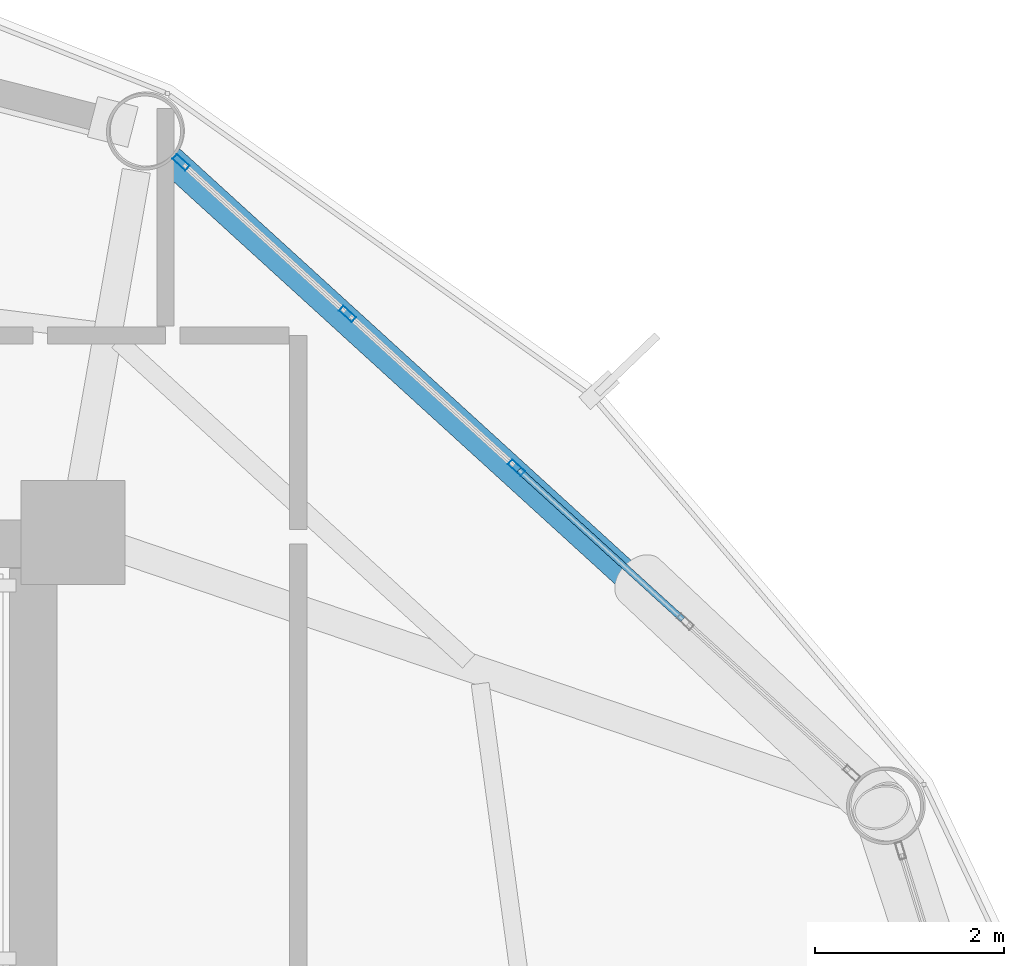
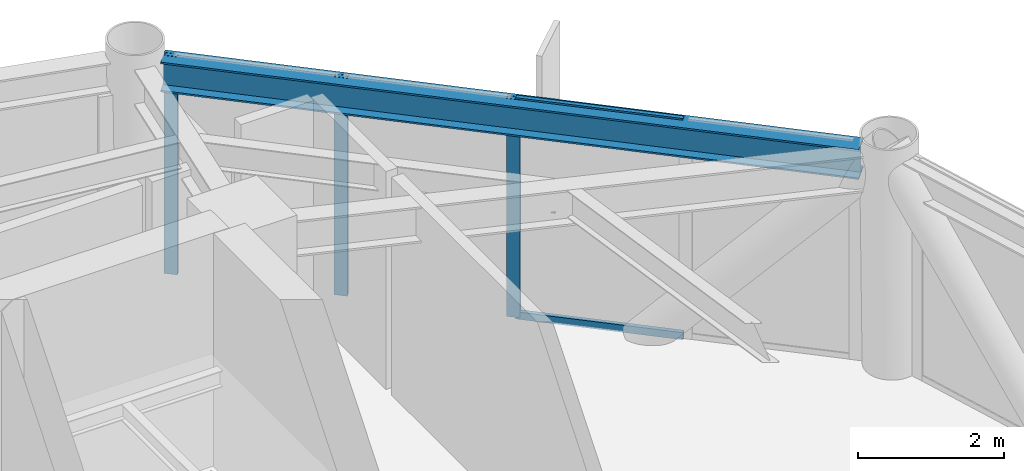
# One storey, part 17 of 23: 5 members, 1 beam, 1 element without a shape of its own.
"""IFC4 building model written with IfcOpenShell, lengths in metres."""

from ifc_helpers import new_model, si_unit, direction, frame, origin, origin_2d, place, context, subcontext, project, spatial, hollow_rectangle, i_section, extrude, material, layer, layer_set, material_profile, profile_set, type_object, element, aggregate, save


model = new_model("IFC4")

# Units and contexts
model_context = context("Model", 3, precision=1e-05, world=origin(), true_north=direction((0.0, 1.0)))
body_context = subcontext(model_context, "Body", "Model", "MODEL_VIEW")
ifc_project = project(units=[si_unit("LENGTHUNIT", "METRE"), si_unit("AREAUNIT", "SQUARE_METRE"), si_unit("VOLUMEUNIT", "CUBIC_METRE"), si_unit("PLANEANGLEUNIT", "RADIAN"), si_unit("MASSUNIT", "GRAM", prefix="KILO")], contexts=[model_context])

# Site, building, storey
site_placement = place(None, origin())
site = spatial("IfcSite", under=ifc_project, at=site_placement, CompositionType="ELEMENT")
building_placement = place(site_placement, origin())
building = spatial("IfcBuilding", under=site, at=building_placement, Name="Varnakorn Sky Granary", CompositionType="ELEMENT")
storey_placement = place(building_placement, frame((0.0, 0.0, 107.10009765625)))
storey = spatial("IfcBuildingStorey", under=building, at=storey_placement, Name="L26", CompositionType="ELEMENT", Elevation=107.10009765625)

# Beam
ifc_material_1 = material(Name="Steel S355JR", Category="steel")
ifc_material_profile_1 = material_profile(ifc_material_1, i_section(OverallWidth=0.300048828125, OverallDepth=0.5, WebThickness=0.014404296875, FlangeThickness=0.028076171875, at=origin_2d()), Name="HE 500 B")
ifc_profile_set_1 = profile_set([ifc_material_profile_1], Name="Steel S355JR")
beam_type = type_object("IfcBeamType", Name="BM-SPD-Z2", PredefinedType="SPANDREL", material=ifc_profile_set_1)
beam_placement = place(storey_placement, frame((16.669921875, 9.978271484375, 3.389892578125), z_axis=(-0.739048746657, 0.673651950242, 0.0), x_axis=(-0.673651950242, -0.739048746657, 0.0)))
element("IfcBeam", 1, at=beam_placement, inside=storey, type_object=beam_type, Name="Perimeter Spandrel Ring Beam RB02 L26", PredefinedType="SPANDREL", context=body_context, shape_type="SweptSolid", body=[
    extrude(i_section(OverallWidth=0.300048828125, OverallDepth=0.5, WebThickness=0.014404296875, FlangeThickness=0.028076171875, at=origin_2d()), origin(), (0.0, 0.0, 1.0), 9.773681640625),
])

# Curtain wall, members
ifc_material_2 = material(Name="Anodised Bronze Aluminium Alloy 6063-T6", Category="aluminium")
ifc_layer = layer(ifc_material_2, 0.179931640625, Name="Anodised Bronze Aluminium Alloy 6063-T6")
ifc_layer_set = layer_set([ifc_layer], Name="Anodised Bronze Aluminium Alloy 6063-T6")
curtain_wall_type = type_object("IfcCurtainWallType", Name="CW-FRM-2", PredefinedType="USERDEFINED", material=ifc_layer_set)
curtain_wall_placement = place(storey_placement, origin())
curtain_wall = element("IfcCurtainWall", 2, at=curtain_wall_placement, inside=storey, type_object=curtain_wall_type, Name="Unitised Curtain Wall CW4 CW-L26-B02", ObjectType="CURTAIN WALL", PredefinedType="USERDEFINED")
ifc_material_profile_2 = material_profile(ifc_material_2, hollow_rectangle(XDim=0.070068359375, YDim=0.18505859375, WallThickness=0.00390625, at=origin_2d()), Name="ALU MULL 70x185")
ifc_profile_set_2 = profile_set([ifc_material_profile_2], Name="Anodised Bronze Aluminium Alloy 6063-T6")
member_type_1 = type_object("IfcMemberType", Name="CW-FRM-2-MULL", PredefinedType="MULLION", material=ifc_profile_set_2)
member_1_placement = place(storey_placement, frame((9.561767578125, 16.530029296875, 0.0), z_axis=(0.0, 0.0, 1.0), x_axis=(0.673414398116, 0.73926520844, 0.0)))
member_1 = element("IfcMember", 3, at=member_1_placement, type_object=member_type_1, Name="CW4 mullion 1", PredefinedType="MULLION", context=body_context, shape_type="SweptSolid", body=[
    extrude(hollow_rectangle(XDim=0.070068359375, YDim=0.18505859375, WallThickness=0.00390625, at=origin_2d()), origin(), (0.0, 0.0, 1.0), 3.639892578125),
])
member_2_placement = place(storey_placement, frame((11.320068359375, 14.92822265625, 0.0), z_axis=(0.0, 0.0, 1.0), x_axis=(0.673414398116, 0.73926520844, 0.0)))
member_2 = element("IfcMember", 4, at=member_2_placement, type_object=member_type_1, Name="CW4 mullion 2", PredefinedType="MULLION", context=body_context, shape_type="SweptSolid", body=[
    extrude(hollow_rectangle(XDim=0.070068359375, YDim=0.18505859375, WallThickness=0.00390625, at=origin_2d()), origin(), (0.0, 0.0, 1.0), 3.639892578125),
])
member_3_placement = place(storey_placement, frame((13.104248046875, 13.302978515625, 0.0), z_axis=(0.0, 0.0, 1.0), x_axis=(0.673414398116, 0.73926520844, 0.0)))
member_3 = element("IfcMember", 5, at=member_3_placement, type_object=member_type_1, Name="CW4 mullion 3", PredefinedType="MULLION", context=body_context, shape_type="SweptSolid", body=[
    extrude(hollow_rectangle(XDim=0.070068359375, YDim=0.18505859375, WallThickness=0.00390625, at=origin_2d()), origin(), (0.0, 0.0, 1.0), 3.639892578125),
])
ifc_material_profile_3 = material_profile(ifc_material_2, hollow_rectangle(XDim=0.06494140625, YDim=0.1201171875, WallThickness=0.00341796875, at=origin_2d()), Name="ALU TRAN 65x120")
ifc_profile_set_3 = profile_set([ifc_material_profile_3], Name="Anodised Bronze Aluminium Alloy 6063-T6")
member_type_2 = type_object("IfcMemberType", Name="CW-FRM-2-TRAN", PredefinedType="USERDEFINED", material=ifc_profile_set_3)
member_4_placement = place(storey_placement, frame((13.130126953125, 13.279541015625, 0.032470703125), z_axis=(0.739260877094, -0.673419152978, 0.0), x_axis=(0.673419152978, 0.739260877094, 0.0)))
member_4 = element("IfcMember", 6, at=member_4_placement, type_object=member_type_2, Name="CW4 transom 3.1", ObjectType="TRANSOM", PredefinedType="USERDEFINED", context=body_context, shape_type="SweptSolid", body=[
    extrude(hollow_rectangle(XDim=0.06494140625, YDim=0.1201171875, WallThickness=0.00341796875, at=origin_2d()), origin(), (0.0, 0.0, 1.0), 2.343505859375),
])
member_5_placement = place(storey_placement, frame((13.130126953125, 13.279541015625, 3.607421875), z_axis=(0.739260877094, -0.673419152978, 0.0), x_axis=(0.673419152978, 0.739260877094, 0.0)))
member_5 = element("IfcMember", 7, at=member_5_placement, type_object=member_type_2, Name="CW4 transom 3.2", ObjectType="TRANSOM", PredefinedType="USERDEFINED", context=body_context, shape_type="SweptSolid", body=[
    extrude(hollow_rectangle(XDim=0.06494140625, YDim=0.1201171875, WallThickness=0.00341796875, at=origin_2d()), origin(), (0.0, 0.0, 1.0), 2.343505859375),
])
aggregate(curtain_wall, [member_1, member_2, member_3, member_4, member_5])

save(model, "model.ifc")
